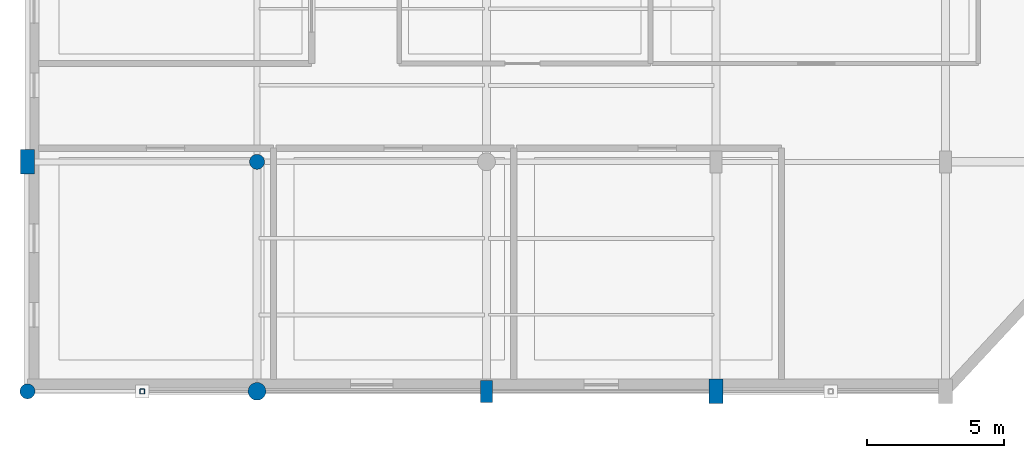
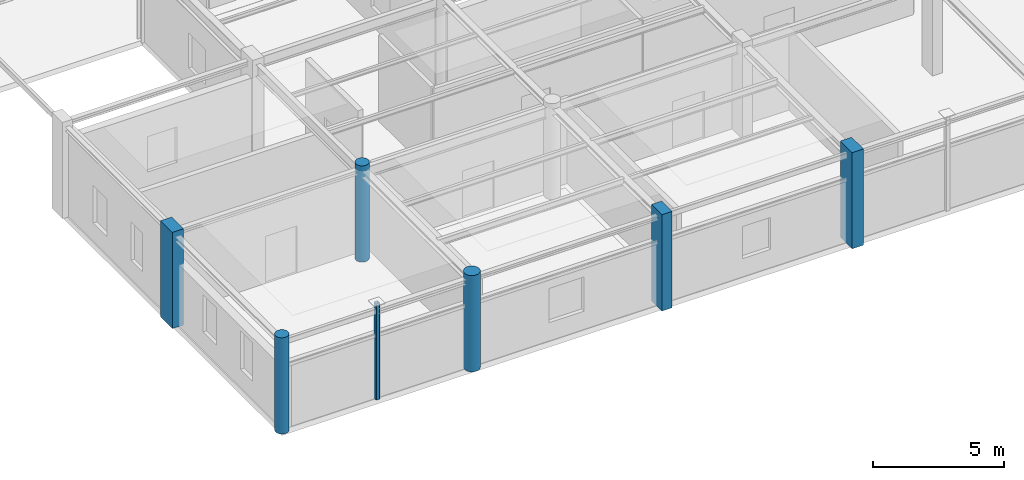
# One storey, part 1 of 106: 7 columns.
"""IFC4 building model written with IfcOpenShell, lengths in metres."""

from ifc_helpers import new_model, si_unit, derived_unit, direction, frame, origin, origin_2d, place, context, subcontext, project, spatial, rectangle, hollow_rectangle, circle, extrude, material, material_profile, profile_set, type_object, element, save


model = new_model("IFC4")

# Units and contexts
model_context = context("Model", 3, precision=1e-05, world=origin(), true_north=direction((0.0, 1.0)))
body_context = subcontext(model_context, "Body", "Model", "MODEL_VIEW")
ifc_project = project(units=[si_unit("LENGTHUNIT", "METRE"), si_unit("AREAUNIT", "SQUARE_METRE"), si_unit("VOLUMEUNIT", "CUBIC_METRE"), si_unit("PLANEANGLEUNIT", "RADIAN"), si_unit("MASSUNIT", "GRAM", prefix="KILO"), derived_unit("THERMALTRANSMITTANCEUNIT", [(si_unit("POWERUNIT", "WATT"), 1), (si_unit("AREAUNIT", "SQUARE_METRE"), -1), (si_unit("THERMODYNAMICTEMPERATUREUNIT", "KELVIN"), -1)])], contexts=[model_context])

# Site, building, storey
site_placement = place(None, origin())
site = spatial("IfcSite", under=ifc_project, at=site_placement, CompositionType="ELEMENT")
building_placement = place(site_placement, origin())
building = spatial("IfcBuilding", under=site, at=building_placement, Name="Yasenodar Specialist Clinic", CompositionType="ELEMENT")
storey_placement = place(building_placement, frame((0.0, 0.0, 4.5)))
storey = spatial("IfcBuildingStorey", under=building, at=storey_placement, Name="L01", CompositionType="ELEMENT", Elevation=4.5)

# Columns
ifc_material_1 = material(Name="Concrete C35/45", Category="concrete")
ifc_material_profile_1 = material_profile(ifc_material_1, rectangle(XDim=0.449951171875, YDim=0.800048828125, at=origin_2d()), Name="RC 450x800")
ifc_profile_set_1 = profile_set([ifc_material_profile_1], Name="Concrete C35/45")
column_type_1 = type_object("IfcColumnType", Name="COL-RC-450x800", PredefinedType="COLUMN", material=ifc_profile_set_1)
column_1_placement = place(storey_placement, frame((16.800048828125, 0.0, 0.0), z_axis=(0.0, 0.0, 1.0), x_axis=(1.0, 0.0, 0.0)))
element("IfcColumn", 1, at=column_1_placement, inside=storey, type_object=column_type_1, Name="L01 Column V2-031", PredefinedType="COLUMN", context=body_context, shape_type="SweptSolid", body=[
    extrude(rectangle(XDim=0.449951171875, YDim=0.800048828125, at=origin_2d()), origin(), (0.0, 0.0, 1.0), 4.5),
])
ifc_material_profile_2 = material_profile(ifc_material_1, rectangle(XDim=0.5, YDim=0.89990234375, at=origin_2d()), Name="RC 500x900")
ifc_profile_set_2 = profile_set([ifc_material_profile_2], Name="Concrete C35/45")
column_type_2 = type_object("IfcColumnType", Name="COL-RC-500x900", PredefinedType="COLUMN", material=ifc_profile_set_2)
for number, where, z_axis, x_axis, name in (
    (2, (0.0, 8.39990234375, 0.0), (0.0, 0.0, 1.0), (1.0, 0.0, 0.0), "L01 Column V2-002"),
    (3, (25.199951171875, 0.0, 0.0), (0.0, 0.0, 1.0), (1.0, 0.0, 0.0), "L01 Column V2-046"),
):
    element("IfcColumn", number, at=place(storey_placement, frame(where, z_axis=z_axis, x_axis=x_axis)), inside=storey, type_object=column_type_2, Name=name, PredefinedType="COLUMN", context=body_context, shape_type="SweptSolid", body=[
        extrude(rectangle(XDim=0.5, YDim=0.89990234375, at=origin_2d()), origin(), (0.0, 0.0, 1.0), 4.5),
    ])
ifc_material_profile_3 = material_profile(ifc_material_1, circle(Radius=0.27490234375, at=origin_2d()), Name="RC D550")
ifc_profile_set_3 = profile_set([ifc_material_profile_3], Name="Concrete C35/45")
column_type_3 = type_object("IfcColumnType", Name="COL-RC-D550", PredefinedType="COLUMN", material=ifc_profile_set_3)
for number, where, z_axis, x_axis, name in (
    (4, (0.0, 0.0, 0.0), (0.0, 0.0, 1.0), (1.0, 0.0, 0.0), "L01 Column V2-001"),
    (5, (8.39990234375, 8.39990234375, 0.0), (0.0, 0.0, 1.0), (1.0, 0.0, 0.0), "L01 Column V2-017"),
):
    element("IfcColumn", number, at=place(storey_placement, frame(where, z_axis=z_axis, x_axis=x_axis)), inside=storey, type_object=column_type_3, Name=name, PredefinedType="COLUMN", context=body_context, shape_type="SweptSolid", body=[
        extrude(circle(Radius=0.27490234375, at=origin_2d()), origin(), (0.0, 0.0, 1.0), 4.5),
    ])
ifc_material_profile_4 = material_profile(ifc_material_1, circle(Radius=0.324951171875, at=origin_2d()), Name="RC D650")
ifc_profile_set_4 = profile_set([ifc_material_profile_4], Name="Concrete C35/45")
column_type_4 = type_object("IfcColumnType", Name="COL-RC-D650", PredefinedType="COLUMN", material=ifc_profile_set_4)
column_2_placement = place(storey_placement, frame((8.39990234375, 0.0, 0.0), z_axis=(0.0, 0.0, 1.0), x_axis=(1.0, 0.0, 0.0)))
element("IfcColumn", 6, at=column_2_placement, inside=storey, type_object=column_type_4, Name="L01 Column V2-016", PredefinedType="COLUMN", context=body_context, shape_type="SweptSolid", body=[
    extrude(circle(Radius=0.324951171875, at=origin_2d()), origin(), (0.0, 0.0, 1.0), 4.5),
])
ifc_material_2 = material(Name="Steel S355", Category="steel")
ifc_material_profile_5 = material_profile(ifc_material_2, hollow_rectangle(XDim=0.179931640625, YDim=0.179931640625, WallThickness=0.010009765625, InnerFilletRadius=0.014892578125, OuterFilletRadius=0.02490234375, at=origin_2d()), Name="SHS 180x180x10")
ifc_profile_set_5 = profile_set([ifc_material_profile_5], Name="Steel S355")
column_type_5 = type_object("IfcColumnType", Name="PIL-ST-SHS180", PredefinedType="PILASTER", material=ifc_profile_set_5)
column_3_placement = place(storey_placement, frame((4.199951171875, 0.0, 0.0), z_axis=(0.0, 0.0, 1.0), x_axis=(1.0, 0.0, 0.0)))
element("IfcColumn", 7, at=column_3_placement, inside=storey, type_object=column_type_5, Name="L01 Arcade Pilaster 07", PredefinedType="PILASTER", context=body_context, shape_type="SweptSolid", body=[
    extrude(hollow_rectangle(XDim=0.179931640625, YDim=0.179931640625, WallThickness=0.010009765625, InnerFilletRadius=0.014892578125, OuterFilletRadius=0.02490234375, at=origin_2d()), origin(), (0.0, 0.0, 1.0), 4.5),
])

save(model, "model.ifc")
